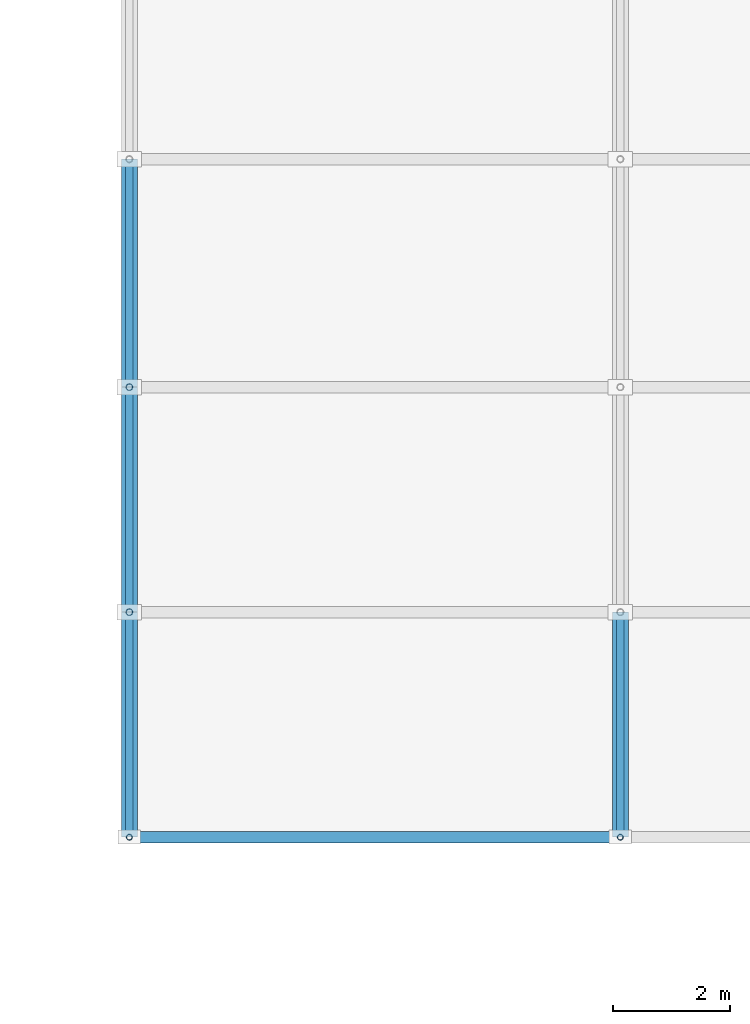
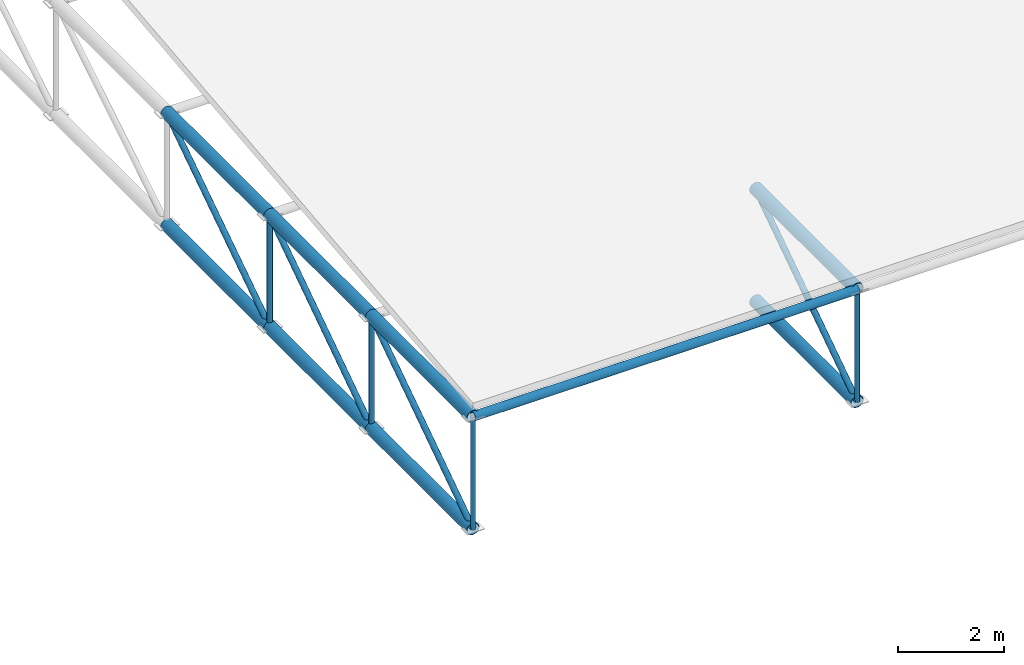
# One storey, part 23 of 140: 9 members, 8 beams.
"""IFC4 building model written with IfcOpenShell, lengths in metres."""

import ifcopenshell
import ifcopenshell.guid

model = None  # the IFC model being written
_history = None  # IfcOwnerHistory: only IFC2X3 demands one
_inside = {}  # id of a spatial element -> (the spatial element, [elements in it])
_under = {}  # id of a project, library or spatial element -> (it, [spatial elements below it])
_declared = {}  # id of a project -> (the project, [libraries it declares])
_typed = {}  # id of a type object -> (the type object, [elements of that type])
_made_of = {}  # id of a material, layer set ... -> (it, [elements and type objects made of it])


def new_model(schema):
    """Start an empty IFC model of exactly this schema.

    Asked for "IFC4X3", IfcOpenShell would pick the latest addendum, in which some entities
    have other attributes; the version numbers below select the first issue.
    IFC2X3 requires an IfcOwnerHistory on every rooted entity: one is made here for all.
    """
    global model, _history
    if schema == "IFC4X3":
        model = ifcopenshell.file(schema_version=(4, 3, 0, 0))
    else:
        model = ifcopenshell.file(schema=schema)
    _inside.clear()
    _under.clear()
    _declared.clear()
    _typed.clear()
    _made_of.clear()
    _history = None
    if model.schema == "IFC2X3":
        org = make("IfcOrganization", Name="unknown")
        user = make(
            "IfcPersonAndOrganization",
            ThePerson=make("IfcPerson", FamilyName="unknown"),
            TheOrganization=org,
        )
        app = make(
            "IfcApplication",
            ApplicationDeveloper=org,
            Version="unknown",
            ApplicationFullName="unknown",
            ApplicationIdentifier="unknown",
        )
        _history = make(
            "IfcOwnerHistory",
            OwningUser=user,
            OwningApplication=app,
            ChangeAction="ADDED",
            CreationDate=0,
        )
    return model


def make(cls, **values):
    """One entity of the class cls with the attributes given. An attribute that is None is left unset."""
    return model.create_entity(
        cls, **{name: value for name, value in values.items() if value is not None}
    )


def rooted(cls, **values):
    """An entity with a GlobalId (a new one), such as an element, a storey or a relation."""
    return make(cls, GlobalId=ifcopenshell.guid.new(), OwnerHistory=_history, **values)


def si_unit(unit_type, name, prefix=None):
    """IfcSIUnit, for example si_unit("LENGTHUNIT", "METRE", prefix="MILLI")."""
    return make("IfcSIUnit", UnitType=unit_type, Prefix=prefix, Name=name)


def assignment(units):
    """IfcUnitAssignment: the units of a project."""
    return None if units is None else make("IfcUnitAssignment", Units=units)


def point(xyz):
    """IfcCartesianPoint."""
    return None if xyz is None else make("IfcCartesianPoint", Coordinates=xyz)


def direction(xyz):
    """IfcDirection."""
    return None if xyz is None else make("IfcDirection", DirectionRatios=xyz)


def frame(location, z_axis=None, x_axis=None):
    """IfcAxis2Placement3D, a coordinate frame: its origin and axes. An axis left out is left unset."""
    return make(
        "IfcAxis2Placement3D",
        Location=point(location),
        Axis=direction(z_axis),
        RefDirection=direction(x_axis),
    )


def frame_2d(location, x_axis=None):
    """IfcAxis2Placement2D, a coordinate frame in the plane: its origin and x axis."""
    return make(
        "IfcAxis2Placement2D", Location=point(location), RefDirection=direction(x_axis)
    )


def origin():
    """The frame at (0, 0, 0) with its axes left unset."""
    return frame((0.0, 0.0, 0.0))


def origin_2d():
    """The frame at (0, 0) in the plane with its x axis left unset."""
    return frame_2d((0.0, 0.0))


def place(relative_to, where):
    """IfcLocalPlacement: puts the frame where relative to a parent placement (None: the world)."""
    return make(
        "IfcLocalPlacement", PlacementRelTo=relative_to, RelativePlacement=where
    )


def context(
    kind, dimensions, precision=None, world=None, true_north=None, identifier=None
):
    """IfcGeometricRepresentationContext, for example the 3D "Model" context."""
    return make(
        "IfcGeometricRepresentationContext",
        ContextIdentifier=identifier,
        ContextType=kind,
        CoordinateSpaceDimension=dimensions,
        Precision=precision,
        WorldCoordinateSystem=world,
        TrueNorth=true_north,
    )


def subcontext(parent, identifier, kind, view, scale=None):
    """IfcGeometricRepresentationSubContext, for example "Body" below "Model"."""
    return make(
        "IfcGeometricRepresentationSubContext",
        ContextIdentifier=identifier,
        ContextType=kind,
        ParentContext=parent,
        TargetScale=scale,
        TargetView=view,
    )


def project(units=None, contexts=None):
    """IfcProject with its units and contexts."""
    return rooted(
        "IfcProject",
        Name="project",
        RepresentationContexts=contexts,
        UnitsInContext=assignment(units),
    )


def spatial(cls, under=None, at=None, **own):
    """A site, building, storey or space (cls), placed at a placement, below another one or the project."""
    s = rooted(cls, ObjectPlacement=at, **own)
    if under is not None:
        _under.setdefault(under.id(), (under, []))[1].append(s)
    return s


def profile(cls, at=None, kind="AREA", **sizes):
    """A parametric profile (cls). Its sizes go by their IFC names, for example OverallWidth=200.0."""
    return make(cls, ProfileType=kind, Position=at, **sizes)


def hollow_circle(**sizes):
    """IfcCircleHollowProfileDef."""
    return profile("IfcCircleHollowProfileDef", **sizes)


def extrude(swept, where, along, depth):
    """IfcExtrudedAreaSolid: the profile swept, set in the frame where, extruded along a direction by depth."""
    return make(
        "IfcExtrudedAreaSolid",
        SweptArea=swept,
        Position=where,
        ExtrudedDirection=direction(along),
        Depth=depth,
    )


def shape(context_of_items, identifier, shape_type, items):
    """IfcShapeRepresentation: the items that make up one representation, for example the "Body"."""
    return make(
        "IfcShapeRepresentation",
        ContextOfItems=context_of_items,
        RepresentationIdentifier=identifier,
        RepresentationType=shape_type,
        Items=items,
    )


def material(Name=None, Category=None):
    """IfcMaterial."""
    return make("IfcMaterial", Name=Name, Category=Category)


def material_profile(
    of_material, cross_section, Name=None, Category=None, Priority=None
):
    """IfcMaterialProfile: a cross section and its material."""
    return make(
        "IfcMaterialProfile",
        Name=Name,
        Material=of_material,
        Profile=cross_section,
        Priority=Priority,
        Category=Category,
    )


def profile_set(profiles, Name=None, composite=None):
    """IfcMaterialProfileSet."""
    return make(
        "IfcMaterialProfileSet",
        Name=Name,
        MaterialProfiles=profiles,
        CompositeProfile=composite,
    )


def made_of(thing, what):
    """Note that an element or type object is made of a material, layer set ...; save() writes the relation."""
    if what is not None:
        _made_of.setdefault(what.id(), (what, []))[1].append(thing)
    return thing


def type_object(cls, material=None, **own):
    """A type object (cls), such as IfcWallType, which elements share."""
    return made_of(rooted(cls, **own), material)


def element(
    cls,
    number,
    at=None,
    inside=None,
    cuts=None,
    type_object=None,
    material=None,
    context=None,
    identifier="Body",
    shape_type=None,
    held_by="IfcProductDefinitionShape",
    body=None,
    shapes=None,
    **own,
):
    """One element of the class cls, such as IfcWall. Its Tag is "e" and its number.

    at: its placement. inside: the storey or other place that contains it. cuts: it is an
    opening in that element (IfcRelVoidsElement). A single representation is given by context,
    identifier, shape_type and body (its items); several are given by shapes. held_by: the class
    of the entity that holds the representations. save() writes the other relations.
    """
    e = rooted(cls, Tag="e%d" % number, ObjectPlacement=at, **own)
    if body is not None:
        shapes = [shape(context, identifier, shape_type, body)]
    if shapes is not None:
        e.Representation = make(held_by, Representations=shapes)
    if inside is not None:
        _inside.setdefault(inside.id(), (inside, []))[1].append(e)
    if cuts is not None:
        rooted(
            "IfcRelVoidsElement", RelatingBuildingElement=cuts, RelatedOpeningElement=e
        )
    if type_object is not None:
        _typed.setdefault(type_object.id(), (type_object, []))[1].append(e)
    return made_of(e, material)


def aggregate(whole, parts):
    """IfcRelAggregates: a whole, such as a stair, and the parts it consists of."""
    return rooted("IfcRelAggregates", RelatingObject=whole, RelatedObjects=parts)


def save(model, path):
    """Write the relations noted so far, then the file.

    IfcRelAggregates (storeys below a building ...), IfcRelContainedInSpatialStructure (elements
    in a storey), IfcRelDefinesByType, IfcRelAssociatesMaterial and IfcRelDeclares: one each for
    every whole, place, type object, material and project.
    """
    for whole, parts in _under.values():
        aggregate(whole, parts)
    for where, things in _inside.values():
        rooted(
            "IfcRelContainedInSpatialStructure",
            RelatedElements=things,
            RelatingStructure=where,
        )
    for kind, things in _typed.values():
        rooted("IfcRelDefinesByType", RelatedObjects=things, RelatingType=kind)
    for what, things in _made_of.values():
        rooted("IfcRelAssociatesMaterial", RelatedObjects=things, RelatingMaterial=what)
    for by, libraries in _declared.values():
        rooted("IfcRelDeclares", RelatingContext=by, RelatedDefinitions=libraries)
    model.write(path)


model = new_model("IFC4")

# Units and contexts
model_context = context("Model", 3, precision=1e-05, world=origin(), true_north=direction((0.0, 1.0)))
body_context = subcontext(model_context, "Body", "Model", "MODEL_VIEW")
ifc_project = project(units=[si_unit("LENGTHUNIT", "METRE"), si_unit("AREAUNIT", "SQUARE_METRE"), si_unit("VOLUMEUNIT", "CUBIC_METRE"), si_unit("PLANEANGLEUNIT", "RADIAN"), si_unit("MASSUNIT", "GRAM", prefix="KILO")], contexts=[model_context])

# Site, building, storey
site_placement = place(None, origin())
site = spatial("IfcSite", under=ifc_project, at=site_placement, CompositionType="ELEMENT")
building_placement = place(site_placement, origin())
building = spatial("IfcBuilding", under=site, at=building_placement, Name="Varnapada Polytechnic", CompositionType="ELEMENT")
storey_placement = place(building_placement, frame((0.0, 0.0, 13.800048828125)))
storey = spatial("IfcBuildingStorey", under=building, at=storey_placement, Name="L03", CompositionType="ELEMENT", Elevation=13.800048828125)

# Members
ifc_material = material(Name="Steel S355", Category="steel")
ifc_material_profile_1 = material_profile(ifc_material, hollow_circle(Radius=0.096923828125, WallThickness=0.00634765625, at=origin_2d()), Name="CHS 193.7x6.3")
ifc_profile_set_1 = profile_set([ifc_material_profile_1], Name="Steel S355")
member_type_1 = type_object("IfcMemberType", Name="Canopy space frame longitudinal chord SFC-03 (CHS 193.7x6.3)", PredefinedType="CHORD", material=ifc_profile_set_1)
member_1_placement = place(storey_placement, frame((75.60009765625, 5.199951171875, -1.35009765625), z_axis=(1.0, 0.0, 0.0), x_axis=(0.0, 1.0, 0.0)))
element("IfcMember", 1, at=member_1_placement, inside=storey, type_object=member_type_1, Name="Entrance canopy longitudinal chord 1.6", PredefinedType="CHORD", context=body_context, shape_type="SweptSolid", body=[
    extrude(hollow_circle(Radius=0.096923828125, WallThickness=0.00634765625, at=origin_2d()), origin(), (0.0, 0.0, 1.0), 8.39990234375),
])
ifc_material_profile_2 = material_profile(ifc_material, hollow_circle(Radius=0.05712890625, WallThickness=0.0048828125, at=origin_2d()), Name="CHS 114.3x5.0")
ifc_profile_set_2 = profile_set([ifc_material_profile_2], Name="Steel S355")
member_type_2 = type_object("IfcMemberType", Name="Canopy space frame web strut SFS-02 (CHS 114.3x5.0)", PredefinedType="STRUT", material=ifc_profile_set_2)
for number, where, z_axis, x_axis, name in (
    (2, (75.60009765625, 12.89990234375, -3.949951171875), (0.0, 0.0, 1.0), (1.0, 0.0, 0.0), "Entrance canopy space frame post 1.4"),
    (3, (75.60009765625, 9.050048828125, -3.949951171875), (0.0, 0.0, 1.0), (1.0, 0.0, 0.0), "Entrance canopy space frame post 1.5"),
):
    element("IfcMember", number, at=place(storey_placement, frame(where, z_axis=z_axis, x_axis=x_axis)), inside=storey, type_object=member_type_2, Name=name, PredefinedType="STRUT", context=body_context, shape_type="SweptSolid", body=[
        extrude(hollow_circle(Radius=0.05712890625, WallThickness=0.0048828125, at=origin_2d()), origin(), (0.0, 0.0, 1.0), 2.599853515625),
    ])
ifc_material_profile_3 = material_profile(ifc_material, hollow_circle(Radius=0.05078125, WallThickness=0.0048828125, at=origin_2d()), Name="CHS 101.6x5.0")
ifc_profile_set_3 = profile_set([ifc_material_profile_3], Name="Steel S355")
member_type_3 = type_object("IfcMemberType", Name="Canopy tip strut SFS-03 (CHS 101.6x5.0)", PredefinedType="STRUT", material=ifc_profile_set_3)
for number, where, z_axis, x_axis, name in (
    (4, (75.60009765625, 5.199951171875, -3.949951171875), (0.0, 0.0, 1.0), (1.0, 0.0, 0.0), "Entrance canopy space frame post 1.6"),
    (5, (84.0, 5.199951171875, -3.949951171875), (0.0, 0.0, 1.0), (1.0, 0.0, 0.0), "Entrance canopy space frame post 2.6"),
):
    element("IfcMember", number, at=place(storey_placement, frame(where, z_axis=z_axis, x_axis=x_axis)), inside=storey, type_object=member_type_3, Name=name, PredefinedType="STRUT", context=body_context, shape_type="SweptSolid", body=[
        extrude(hollow_circle(Radius=0.05078125, WallThickness=0.0048828125, at=origin_2d()), origin(), (0.0, 0.0, 1.0), 2.599853515625),
    ])
ifc_material_profile_4 = material_profile(ifc_material, hollow_circle(Radius=0.0634765625, WallThickness=0.0048828125, at=origin_2d()), Name="CHS 127.0x5.0")
ifc_profile_set_4 = profile_set([ifc_material_profile_4], Name="Steel S355")
member_type_4 = type_object("IfcMemberType", Name="Canopy web diagonal SFB-04 (CHS 127.0x5.0)", PredefinedType="BRACE", material=ifc_profile_set_4)
member_2_placement = place(storey_placement, frame((75.60009765625, 16.800048828125, -1.35009765625), z_axis=(0.0, -0.832074333263, -0.554664136145), x_axis=(1.0, 0.0, 0.0)))
element("IfcMember", 6, at=member_2_placement, inside=storey, type_object=member_type_4, Name="Entrance canopy space frame web brace 1.3", PredefinedType="BRACE", context=body_context, shape_type="SweptSolid", body=[
    extrude(hollow_circle(Radius=0.0634765625, WallThickness=0.0048828125, at=origin_2d()), origin(), (0.0, 0.0, 1.0), 4.687255859375),
])
member_3_placement = place(storey_placement, frame((75.60009765625, 12.89990234375, -1.35009765625), z_axis=(0.0, -0.828728630838, -0.559650655704), x_axis=(1.0, 0.0, 0.0)))
element("IfcMember", 7, at=member_3_placement, inside=storey, type_object=member_type_4, Name="Entrance canopy space frame web brace 1.4", PredefinedType="BRACE", context=body_context, shape_type="SweptSolid", body=[
    extrude(hollow_circle(Radius=0.0634765625, WallThickness=0.0048828125, at=origin_2d()), origin(), (0.0, 0.0, 1.0), 4.6455078125),
])
for number, where, z_axis, x_axis, name in (
    (8, (75.60009765625, 9.050048828125, -1.35009765625), (0.0, -0.828745090232, -0.55962628192), (1.0, 0.0, 0.0), "Entrance canopy space frame web brace 1.5"),
    (9, (84.0, 9.050048828125, -1.35009765625), (0.0, -0.828745090232, -0.55962628192), (1.0, 0.0, 0.0), "Entrance canopy space frame web brace 2.5"),
):
    element("IfcMember", number, at=place(storey_placement, frame(where, z_axis=z_axis, x_axis=x_axis)), inside=storey, type_object=member_type_4, Name=name, PredefinedType="BRACE", context=body_context, shape_type="SweptSolid", body=[
        extrude(hollow_circle(Radius=0.0634765625, WallThickness=0.0048828125, at=origin_2d()), origin(), (0.0, 0.0, 1.0), 4.645751953125),
    ])

# Beams
ifc_material_profile_5 = material_profile(ifc_material, hollow_circle(Radius=0.136474609375, WallThickness=0.010009765625, at=origin_2d()), Name="CHS 273.0x10.0")
ifc_profile_set_5 = profile_set([ifc_material_profile_5], Name="Steel S355")
beam_type = type_object("IfcBeamType", Name="Vaulted space frame canopy chord beam VA-03 (CHS 273.0x10.0)", PredefinedType="BEAM", material=ifc_profile_set_5)
for number, where, z_axis, x_axis, name in (
    (10, (75.60009765625, 16.800048828125, -3.949951171875), (0.0, -1.0, 0.0), (1.0, 0.0, 0.0), "Entrance canopy space frame bottom chord 1.3"),
    (11, (75.60009765625, 16.800048828125, -1.35009765625), (0.0, -1.0, 0.0), (1.0, 0.0, 0.0), "Entrance canopy space frame top chord 1.3"),
):
    element("IfcBeam", number, at=place(storey_placement, frame(where, z_axis=z_axis, x_axis=x_axis)), inside=storey, type_object=beam_type, Name=name, PredefinedType="BEAM", context=body_context, shape_type="SweptSolid", body=[
        extrude(hollow_circle(Radius=0.136474609375, WallThickness=0.010009765625, at=origin_2d()), origin(), (0.0, 0.0, 1.0), 3.900146484375),
    ])
for number, where, z_axis, x_axis, name in (
    (12, (75.60009765625, 12.89990234375, -3.949951171875), (0.0, -1.0, 0.0), (1.0, 0.0, 0.0), "Entrance canopy space frame bottom chord 1.4"),
    (13, (75.60009765625, 12.89990234375, -1.35009765625), (0.0, -1.0, 0.0), (1.0, 0.0, 0.0), "Entrance canopy space frame top chord 1.4"),
):
    element("IfcBeam", number, at=place(storey_placement, frame(where, z_axis=z_axis, x_axis=x_axis)), inside=storey, type_object=beam_type, Name=name, PredefinedType="BEAM", context=body_context, shape_type="SweptSolid", body=[
        extrude(hollow_circle(Radius=0.136474609375, WallThickness=0.010009765625, at=origin_2d()), origin(), (0.0, 0.0, 1.0), 3.849853515625),
    ])
for number, where, z_axis, x_axis, name in (
    (14, (75.60009765625, 9.050048828125, -3.949951171875), (0.0, -1.0, 0.0), (1.0, 0.0, 0.0), "Entrance canopy space frame bottom chord 1.5"),
    (15, (75.60009765625, 9.050048828125, -1.35009765625), (0.0, -1.0, 0.0), (1.0, 0.0, 0.0), "Entrance canopy space frame top chord 1.5"),
    (16, (84.0, 9.050048828125, -3.949951171875), (0.0, -1.0, 0.0), (1.0, 0.0, 0.0), "Entrance canopy space frame bottom chord 2.5"),
    (17, (84.0, 9.050048828125, -1.35009765625), (0.0, -1.0, 0.0), (1.0, 0.0, 0.0), "Entrance canopy space frame top chord 2.5"),
):
    element("IfcBeam", number, at=place(storey_placement, frame(where, z_axis=z_axis, x_axis=x_axis)), inside=storey, type_object=beam_type, Name=name, PredefinedType="BEAM", context=body_context, shape_type="SweptSolid", body=[
        extrude(hollow_circle(Radius=0.136474609375, WallThickness=0.010009765625, at=origin_2d()), origin(), (0.0, 0.0, 1.0), 3.85009765625),
    ])

save(model, "model.ifc")
